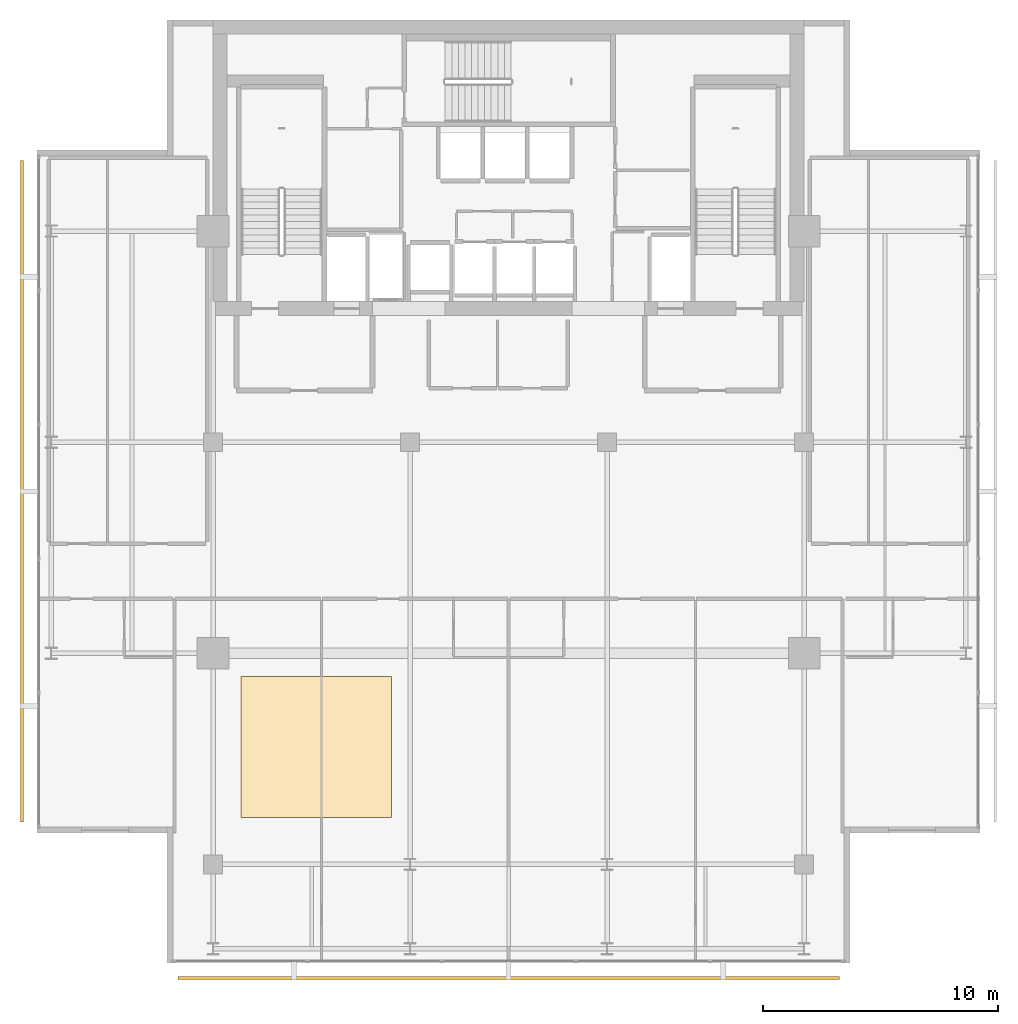
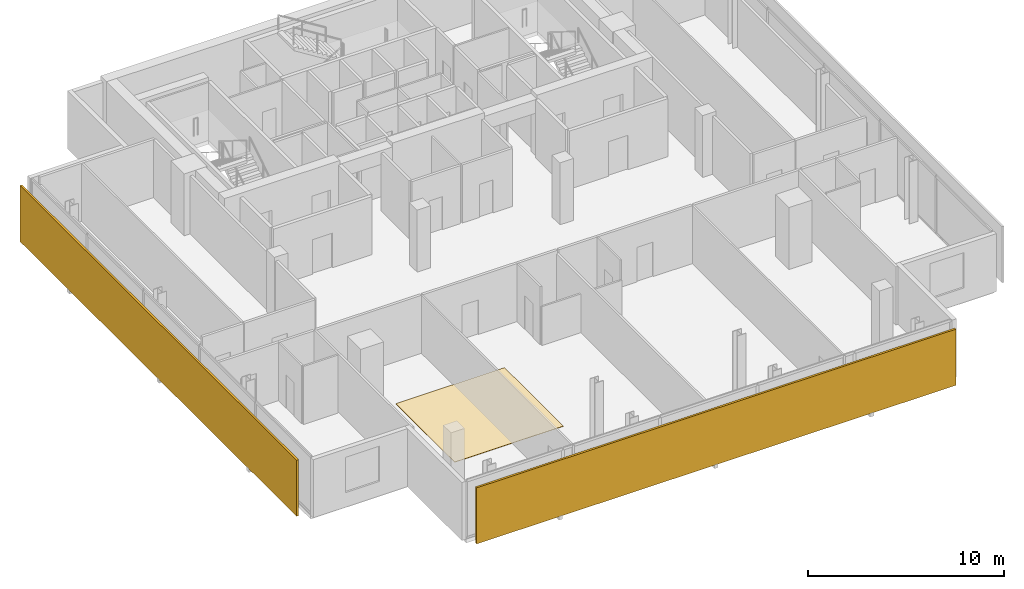
# One storey, part 20 of 23: 2 shading devices, 1 covering.
"""IFC4 building model written with IfcOpenShell, lengths in metres."""

import ifcopenshell
import ifcopenshell.guid

model = None  # the IFC model being written
_history = None  # IfcOwnerHistory: only IFC2X3 demands one
_inside = {}  # id of a spatial element -> (the spatial element, [elements in it])
_under = {}  # id of a project, library or spatial element -> (it, [spatial elements below it])
_declared = {}  # id of a project -> (the project, [libraries it declares])
_typed = {}  # id of a type object -> (the type object, [elements of that type])
_made_of = {}  # id of a material, layer set ... -> (it, [elements and type objects made of it])


def new_model(schema):
    """Start an empty IFC model of exactly this schema.

    Asked for "IFC4X3", IfcOpenShell would pick the latest addendum, in which some entities
    have other attributes; the version numbers below select the first issue.
    IFC2X3 requires an IfcOwnerHistory on every rooted entity: one is made here for all.
    """
    global model, _history
    if schema == "IFC4X3":
        model = ifcopenshell.file(schema_version=(4, 3, 0, 0))
    else:
        model = ifcopenshell.file(schema=schema)
    _inside.clear()
    _under.clear()
    _declared.clear()
    _typed.clear()
    _made_of.clear()
    _history = None
    if model.schema == "IFC2X3":
        org = make("IfcOrganization", Name="unknown")
        user = make(
            "IfcPersonAndOrganization",
            ThePerson=make("IfcPerson", FamilyName="unknown"),
            TheOrganization=org,
        )
        app = make(
            "IfcApplication",
            ApplicationDeveloper=org,
            Version="unknown",
            ApplicationFullName="unknown",
            ApplicationIdentifier="unknown",
        )
        _history = make(
            "IfcOwnerHistory",
            OwningUser=user,
            OwningApplication=app,
            ChangeAction="ADDED",
            CreationDate=0,
        )
    return model


def make(cls, **values):
    """One entity of the class cls with the attributes given. An attribute that is None is left unset."""
    return model.create_entity(
        cls, **{name: value for name, value in values.items() if value is not None}
    )


def rooted(cls, **values):
    """An entity with a GlobalId (a new one), such as an element, a storey or a relation."""
    return make(cls, GlobalId=ifcopenshell.guid.new(), OwnerHistory=_history, **values)


def si_unit(unit_type, name, prefix=None):
    """IfcSIUnit, for example si_unit("LENGTHUNIT", "METRE", prefix="MILLI")."""
    return make("IfcSIUnit", UnitType=unit_type, Prefix=prefix, Name=name)


def assignment(units):
    """IfcUnitAssignment: the units of a project."""
    return None if units is None else make("IfcUnitAssignment", Units=units)


def point(xyz):
    """IfcCartesianPoint."""
    return None if xyz is None else make("IfcCartesianPoint", Coordinates=xyz)


def direction(xyz):
    """IfcDirection."""
    return None if xyz is None else make("IfcDirection", DirectionRatios=xyz)


def frame(location, z_axis=None, x_axis=None):
    """IfcAxis2Placement3D, a coordinate frame: its origin and axes. An axis left out is left unset."""
    return make(
        "IfcAxis2Placement3D",
        Location=point(location),
        Axis=direction(z_axis),
        RefDirection=direction(x_axis),
    )


def frame_2d(location, x_axis=None):
    """IfcAxis2Placement2D, a coordinate frame in the plane: its origin and x axis."""
    return make(
        "IfcAxis2Placement2D", Location=point(location), RefDirection=direction(x_axis)
    )


def origin():
    """The frame at (0, 0, 0) with its axes left unset."""
    return frame((0.0, 0.0, 0.0))


def origin_2d():
    """The frame at (0, 0) in the plane with its x axis left unset."""
    return frame_2d((0.0, 0.0))


def place(relative_to, where):
    """IfcLocalPlacement: puts the frame where relative to a parent placement (None: the world)."""
    return make(
        "IfcLocalPlacement", PlacementRelTo=relative_to, RelativePlacement=where
    )


def context(
    kind, dimensions, precision=None, world=None, true_north=None, identifier=None
):
    """IfcGeometricRepresentationContext, for example the 3D "Model" context."""
    return make(
        "IfcGeometricRepresentationContext",
        ContextIdentifier=identifier,
        ContextType=kind,
        CoordinateSpaceDimension=dimensions,
        Precision=precision,
        WorldCoordinateSystem=world,
        TrueNorth=true_north,
    )


def subcontext(parent, identifier, kind, view, scale=None):
    """IfcGeometricRepresentationSubContext, for example "Body" below "Model"."""
    return make(
        "IfcGeometricRepresentationSubContext",
        ContextIdentifier=identifier,
        ContextType=kind,
        ParentContext=parent,
        TargetScale=scale,
        TargetView=view,
    )


def project(units=None, contexts=None):
    """IfcProject with its units and contexts."""
    return rooted(
        "IfcProject",
        Name="project",
        RepresentationContexts=contexts,
        UnitsInContext=assignment(units),
    )


def spatial(cls, under=None, at=None, **own):
    """A site, building, storey or space (cls), placed at a placement, below another one or the project."""
    s = rooted(cls, ObjectPlacement=at, **own)
    if under is not None:
        _under.setdefault(under.id(), (under, []))[1].append(s)
    return s


def polyline(points):
    """IfcPolyline through the points."""
    return make("IfcPolyline", Points=[point(p) for p in points])


def profile(cls, at=None, kind="AREA", **sizes):
    """A parametric profile (cls). Its sizes go by their IFC names, for example OverallWidth=200.0."""
    return make(cls, ProfileType=kind, Position=at, **sizes)


def rectangle(**sizes):
    """IfcRectangleProfileDef."""
    return profile("IfcRectangleProfileDef", **sizes)


def outline(outer, holes=None, kind="AREA"):
    """IfcArbitraryClosedProfileDef: a profile drawn as a closed curve; with holes, ...WithVoids."""
    if holes is None:
        return make("IfcArbitraryClosedProfileDef", ProfileType=kind, OuterCurve=outer)
    return make(
        "IfcArbitraryProfileDefWithVoids",
        ProfileType=kind,
        OuterCurve=outer,
        InnerCurves=holes,
    )


def extrude(swept, where, along, depth):
    """IfcExtrudedAreaSolid: the profile swept, set in the frame where, extruded along a direction by depth."""
    return make(
        "IfcExtrudedAreaSolid",
        SweptArea=swept,
        Position=where,
        ExtrudedDirection=direction(along),
        Depth=depth,
    )


def shape(context_of_items, identifier, shape_type, items):
    """IfcShapeRepresentation: the items that make up one representation, for example the "Body"."""
    return make(
        "IfcShapeRepresentation",
        ContextOfItems=context_of_items,
        RepresentationIdentifier=identifier,
        RepresentationType=shape_type,
        Items=items,
    )


def material(Name=None, Category=None):
    """IfcMaterial."""
    return make("IfcMaterial", Name=Name, Category=Category)


def layer(
    of_material, thickness, ventilated=None, Name=None, Category=None, Priority=None
):
    """IfcMaterialLayer: one layer of a wall or slab, of a material (None: an air gap)."""
    return make(
        "IfcMaterialLayer",
        Material=of_material,
        LayerThickness=thickness,
        IsVentilated=ventilated,
        Name=Name,
        Category=Category,
        Priority=Priority,
    )


def layer_set(layers, Name=None):
    """IfcMaterialLayerSet."""
    return make("IfcMaterialLayerSet", MaterialLayers=layers, LayerSetName=Name)


def made_of(thing, what):
    """Note that an element or type object is made of a material, layer set ...; save() writes the relation."""
    if what is not None:
        _made_of.setdefault(what.id(), (what, []))[1].append(thing)
    return thing


def type_object(cls, material=None, **own):
    """A type object (cls), such as IfcWallType, which elements share."""
    return made_of(rooted(cls, **own), material)


def element(
    cls,
    number,
    at=None,
    inside=None,
    cuts=None,
    type_object=None,
    material=None,
    context=None,
    identifier="Body",
    shape_type=None,
    held_by="IfcProductDefinitionShape",
    body=None,
    shapes=None,
    **own,
):
    """One element of the class cls, such as IfcWall. Its Tag is "e" and its number.

    at: its placement. inside: the storey or other place that contains it. cuts: it is an
    opening in that element (IfcRelVoidsElement). A single representation is given by context,
    identifier, shape_type and body (its items); several are given by shapes. held_by: the class
    of the entity that holds the representations. save() writes the other relations.
    """
    e = rooted(cls, Tag="e%d" % number, ObjectPlacement=at, **own)
    if body is not None:
        shapes = [shape(context, identifier, shape_type, body)]
    if shapes is not None:
        e.Representation = make(held_by, Representations=shapes)
    if inside is not None:
        _inside.setdefault(inside.id(), (inside, []))[1].append(e)
    if cuts is not None:
        rooted(
            "IfcRelVoidsElement", RelatingBuildingElement=cuts, RelatedOpeningElement=e
        )
    if type_object is not None:
        _typed.setdefault(type_object.id(), (type_object, []))[1].append(e)
    return made_of(e, material)


def aggregate(whole, parts):
    """IfcRelAggregates: a whole, such as a stair, and the parts it consists of."""
    return rooted("IfcRelAggregates", RelatingObject=whole, RelatedObjects=parts)


def save(model, path):
    """Write the relations noted so far, then the file.

    IfcRelAggregates (storeys below a building ...), IfcRelContainedInSpatialStructure (elements
    in a storey), IfcRelDefinesByType, IfcRelAssociatesMaterial and IfcRelDeclares: one each for
    every whole, place, type object, material and project.
    """
    for whole, parts in _under.values():
        aggregate(whole, parts)
    for where, things in _inside.values():
        rooted(
            "IfcRelContainedInSpatialStructure",
            RelatedElements=things,
            RelatingStructure=where,
        )
    for kind, things in _typed.values():
        rooted("IfcRelDefinesByType", RelatedObjects=things, RelatingType=kind)
    for what, things in _made_of.values():
        rooted("IfcRelAssociatesMaterial", RelatedObjects=things, RelatingMaterial=what)
    for by, libraries in _declared.values():
        rooted("IfcRelDeclares", RelatingContext=by, RelatedDefinitions=libraries)
    model.write(path)


model = new_model("IFC4")

# Units and contexts
model_context = context("Model", 3, precision=1e-05, world=origin(), true_north=direction((0.0, 1.0)))
body_context = subcontext(model_context, "Body", "Model", "MODEL_VIEW")
ifc_project = project(units=[si_unit("LENGTHUNIT", "METRE"), si_unit("AREAUNIT", "SQUARE_METRE"), si_unit("VOLUMEUNIT", "CUBIC_METRE"), si_unit("PLANEANGLEUNIT", "RADIAN"), si_unit("MASSUNIT", "GRAM", prefix="KILO")], contexts=[model_context])

# Site, building, storey
site_placement = place(None, origin())
site = spatial("IfcSite", under=ifc_project, at=site_placement, CompositionType="ELEMENT")
building_placement = place(site_placement, origin())
building = spatial("IfcBuilding", under=site, at=building_placement, Name="Maruvema Waterfront Hotel and Observation Tower", CompositionType="ELEMENT")
storey_placement = place(building_placement, frame((0.0, 0.0, 337.39990234375)))
storey = spatial("IfcBuildingStorey", under=building, at=storey_placement, Name="L83", CompositionType="ELEMENT", Elevation=337.39990234375)

# Covering
ifc_material_1 = material(Name="Engineered Brazilian freijo hardwood", Category="wood")
ifc_layer_1 = layer(ifc_material_1, 0.02197265625, Name="Engineered Brazilian Freijo Timber Suite Flooring 22 mm")
ifc_layer_set_1 = layer_set([ifc_layer_1], Name="Engineered Brazilian freijo hardwood")
covering_type = type_object("IfcCoveringType", Name="Engineered Brazilian Freijo Timber Suite Flooring 22 mm", PredefinedType="FLOORING", material=ifc_layer_set_1)
covering_placement = place(storey_placement, origin())
element("IfcCovering", 1, at=covering_placement, inside=storey, type_object=covering_type, Name="L83 Sky Suite Freijo Timber Flooring", PredefinedType="FLOORING", context=body_context, shape_type="SweptSolid", body=[
    extrude(outline(polyline([(26.39990234375, 20.0), (32.800048828125, 20.0), (32.800048828125, 26.0), (26.39990234375, 26.0), (26.39990234375, 20.0)])), origin(), (0.0, 0.0, 1.0), 0.022216796875),
])

# Shading devices
ifc_material_2 = material(Name="Honed travertine stone and anodised architectural bronze", Category="masonry")
ifc_layer_2 = layer(ifc_material_2, 0.1201171875, Name="Ventilated Outer Skin Cobogo Stone-and-Bronze Screen 120 mm")
ifc_layer_set_2 = layer_set([ifc_layer_2], Name="Honed travertine stone and anodised architectural bronze")
shading_device_type = type_object("IfcShadingDeviceType", Name="Ventilated Outer Skin Cobogo Stone-and-Bronze Screen 120 mm", PredefinedType="USERDEFINED", material=ifc_layer_set_2)
for number, where, z_axis, x_axis, name in (
    (2, (37.800048828125, 13.14990234375, 0.06005859375), (0.0, 0.0, 1.0), (1.0, 0.0, 0.0), "L83 Ventilated Double-Skin Outer Cobogo Screen OS-L83-S"),
    (3, (17.050048828125, 33.89990234375, 0.06005859375), (0.0, 0.0, 1.0), (0.0, -1.0, 0.0), "L83 Ventilated Double-Skin Outer Cobogo Screen OS-L83-W"),
):
    element("IfcShadingDevice", number, at=place(storey_placement, frame(where, z_axis=z_axis, x_axis=x_axis)), inside=storey, type_object=shading_device_type, Name=name, ObjectType="OUTER SKIN SCREEN", PredefinedType="USERDEFINED", context=body_context, shape_type="SweptSolid", body=[
        extrude(rectangle(XDim=28.199951171875, YDim=0.1201171875, at=origin_2d()), origin(), (0.0, 0.0, 1.0), 3.489990234375),
    ])

save(model, "model.ifc")
